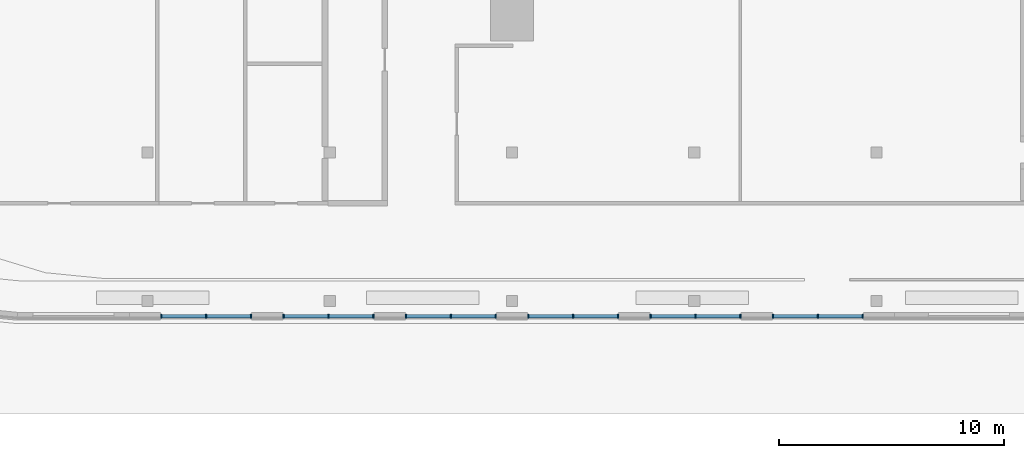
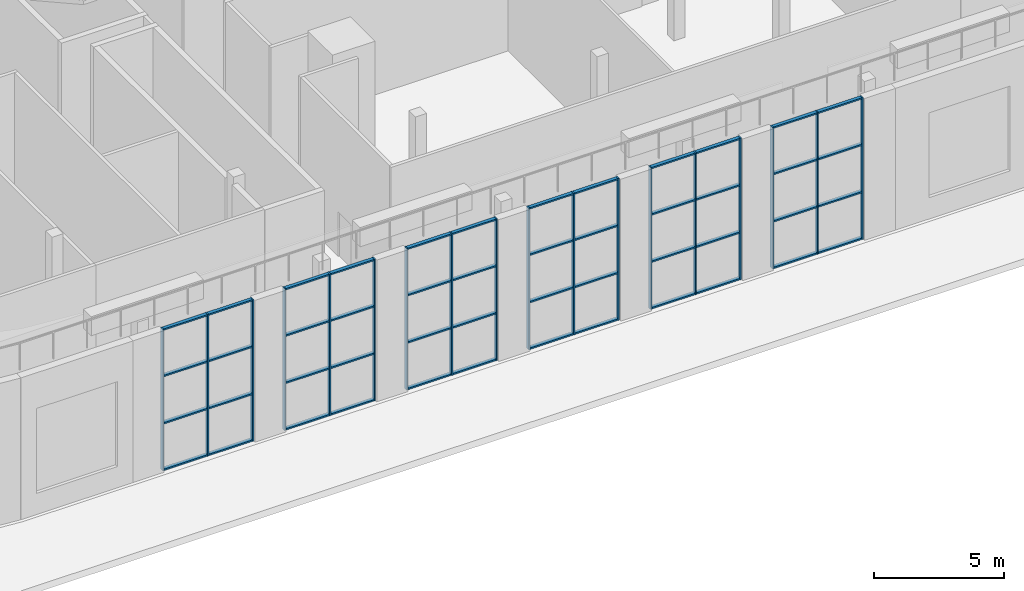
# One storey, part 2 of 21: 66 members, 6 elements without a shape of their own.
"""IFC4 building model written with IfcOpenShell, lengths in metres."""

import ifcopenshell
import ifcopenshell.guid

model = None  # the IFC model being written
_history = None  # IfcOwnerHistory: only IFC2X3 demands one
_inside = {}  # id of a spatial element -> (the spatial element, [elements in it])
_under = {}  # id of a project, library or spatial element -> (it, [spatial elements below it])
_declared = {}  # id of a project -> (the project, [libraries it declares])
_typed = {}  # id of a type object -> (the type object, [elements of that type])
_made_of = {}  # id of a material, layer set ... -> (it, [elements and type objects made of it])


def new_model(schema):
    """Start an empty IFC model of exactly this schema.

    Asked for "IFC4X3", IfcOpenShell would pick the latest addendum, in which some entities
    have other attributes; the version numbers below select the first issue.
    IFC2X3 requires an IfcOwnerHistory on every rooted entity: one is made here for all.
    """
    global model, _history
    if schema == "IFC4X3":
        model = ifcopenshell.file(schema_version=(4, 3, 0, 0))
    else:
        model = ifcopenshell.file(schema=schema)
    _inside.clear()
    _under.clear()
    _declared.clear()
    _typed.clear()
    _made_of.clear()
    _history = None
    if model.schema == "IFC2X3":
        org = make("IfcOrganization", Name="unknown")
        user = make(
            "IfcPersonAndOrganization",
            ThePerson=make("IfcPerson", FamilyName="unknown"),
            TheOrganization=org,
        )
        app = make(
            "IfcApplication",
            ApplicationDeveloper=org,
            Version="unknown",
            ApplicationFullName="unknown",
            ApplicationIdentifier="unknown",
        )
        _history = make(
            "IfcOwnerHistory",
            OwningUser=user,
            OwningApplication=app,
            ChangeAction="ADDED",
            CreationDate=0,
        )
    return model


def make(cls, **values):
    """One entity of the class cls with the attributes given. An attribute that is None is left unset."""
    return model.create_entity(
        cls, **{name: value for name, value in values.items() if value is not None}
    )


def rooted(cls, **values):
    """An entity with a GlobalId (a new one), such as an element, a storey or a relation."""
    return make(cls, GlobalId=ifcopenshell.guid.new(), OwnerHistory=_history, **values)


def si_unit(unit_type, name, prefix=None):
    """IfcSIUnit, for example si_unit("LENGTHUNIT", "METRE", prefix="MILLI")."""
    return make("IfcSIUnit", UnitType=unit_type, Prefix=prefix, Name=name)


def assignment(units):
    """IfcUnitAssignment: the units of a project."""
    return None if units is None else make("IfcUnitAssignment", Units=units)


def point(xyz):
    """IfcCartesianPoint."""
    return None if xyz is None else make("IfcCartesianPoint", Coordinates=xyz)


def direction(xyz):
    """IfcDirection."""
    return None if xyz is None else make("IfcDirection", DirectionRatios=xyz)


def frame(location, z_axis=None, x_axis=None):
    """IfcAxis2Placement3D, a coordinate frame: its origin and axes. An axis left out is left unset."""
    return make(
        "IfcAxis2Placement3D",
        Location=point(location),
        Axis=direction(z_axis),
        RefDirection=direction(x_axis),
    )


def frame_2d(location, x_axis=None):
    """IfcAxis2Placement2D, a coordinate frame in the plane: its origin and x axis."""
    return make(
        "IfcAxis2Placement2D", Location=point(location), RefDirection=direction(x_axis)
    )


def origin():
    """The frame at (0, 0, 0) with its axes left unset."""
    return frame((0.0, 0.0, 0.0))


def origin_2d():
    """The frame at (0, 0) in the plane with its x axis left unset."""
    return frame_2d((0.0, 0.0))


def place(relative_to, where):
    """IfcLocalPlacement: puts the frame where relative to a parent placement (None: the world)."""
    return make(
        "IfcLocalPlacement", PlacementRelTo=relative_to, RelativePlacement=where
    )


def context(
    kind, dimensions, precision=None, world=None, true_north=None, identifier=None
):
    """IfcGeometricRepresentationContext, for example the 3D "Model" context."""
    return make(
        "IfcGeometricRepresentationContext",
        ContextIdentifier=identifier,
        ContextType=kind,
        CoordinateSpaceDimension=dimensions,
        Precision=precision,
        WorldCoordinateSystem=world,
        TrueNorth=true_north,
    )


def subcontext(parent, identifier, kind, view, scale=None):
    """IfcGeometricRepresentationSubContext, for example "Body" below "Model"."""
    return make(
        "IfcGeometricRepresentationSubContext",
        ContextIdentifier=identifier,
        ContextType=kind,
        ParentContext=parent,
        TargetScale=scale,
        TargetView=view,
    )


def project(units=None, contexts=None):
    """IfcProject with its units and contexts."""
    return rooted(
        "IfcProject",
        Name="project",
        RepresentationContexts=contexts,
        UnitsInContext=assignment(units),
    )


def spatial(cls, under=None, at=None, **own):
    """A site, building, storey or space (cls), placed at a placement, below another one or the project."""
    s = rooted(cls, ObjectPlacement=at, **own)
    if under is not None:
        _under.setdefault(under.id(), (under, []))[1].append(s)
    return s


def profile(cls, at=None, kind="AREA", **sizes):
    """A parametric profile (cls). Its sizes go by their IFC names, for example OverallWidth=200.0."""
    return make(cls, ProfileType=kind, Position=at, **sizes)


def rectangle(**sizes):
    """IfcRectangleProfileDef."""
    return profile("IfcRectangleProfileDef", **sizes)


def extrude(swept, where, along, depth):
    """IfcExtrudedAreaSolid: the profile swept, set in the frame where, extruded along a direction by depth."""
    return make(
        "IfcExtrudedAreaSolid",
        SweptArea=swept,
        Position=where,
        ExtrudedDirection=direction(along),
        Depth=depth,
    )


def shape(context_of_items, identifier, shape_type, items):
    """IfcShapeRepresentation: the items that make up one representation, for example the "Body"."""
    return make(
        "IfcShapeRepresentation",
        ContextOfItems=context_of_items,
        RepresentationIdentifier=identifier,
        RepresentationType=shape_type,
        Items=items,
    )


def material(Name=None, Category=None):
    """IfcMaterial."""
    return make("IfcMaterial", Name=Name, Category=Category)


def material_profile(
    of_material, cross_section, Name=None, Category=None, Priority=None
):
    """IfcMaterialProfile: a cross section and its material."""
    return make(
        "IfcMaterialProfile",
        Name=Name,
        Material=of_material,
        Profile=cross_section,
        Priority=Priority,
        Category=Category,
    )


def profile_set(profiles, Name=None, composite=None):
    """IfcMaterialProfileSet."""
    return make(
        "IfcMaterialProfileSet",
        Name=Name,
        MaterialProfiles=profiles,
        CompositeProfile=composite,
    )


def made_of(thing, what):
    """Note that an element or type object is made of a material, layer set ...; save() writes the relation."""
    if what is not None:
        _made_of.setdefault(what.id(), (what, []))[1].append(thing)
    return thing


def type_object(cls, material=None, **own):
    """A type object (cls), such as IfcWallType, which elements share."""
    return made_of(rooted(cls, **own), material)


def element(
    cls,
    number,
    at=None,
    inside=None,
    cuts=None,
    type_object=None,
    material=None,
    context=None,
    identifier="Body",
    shape_type=None,
    held_by="IfcProductDefinitionShape",
    body=None,
    shapes=None,
    **own,
):
    """One element of the class cls, such as IfcWall. Its Tag is "e" and its number.

    at: its placement. inside: the storey or other place that contains it. cuts: it is an
    opening in that element (IfcRelVoidsElement). A single representation is given by context,
    identifier, shape_type and body (its items); several are given by shapes. held_by: the class
    of the entity that holds the representations. save() writes the other relations.
    """
    e = rooted(cls, Tag="e%d" % number, ObjectPlacement=at, **own)
    if body is not None:
        shapes = [shape(context, identifier, shape_type, body)]
    if shapes is not None:
        e.Representation = make(held_by, Representations=shapes)
    if inside is not None:
        _inside.setdefault(inside.id(), (inside, []))[1].append(e)
    if cuts is not None:
        rooted(
            "IfcRelVoidsElement", RelatingBuildingElement=cuts, RelatedOpeningElement=e
        )
    if type_object is not None:
        _typed.setdefault(type_object.id(), (type_object, []))[1].append(e)
    return made_of(e, material)


def aggregate(whole, parts):
    """IfcRelAggregates: a whole, such as a stair, and the parts it consists of."""
    return rooted("IfcRelAggregates", RelatingObject=whole, RelatedObjects=parts)


def save(model, path):
    """Write the relations noted so far, then the file.

    IfcRelAggregates (storeys below a building ...), IfcRelContainedInSpatialStructure (elements
    in a storey), IfcRelDefinesByType, IfcRelAssociatesMaterial and IfcRelDeclares: one each for
    every whole, place, type object, material and project.
    """
    for whole, parts in _under.values():
        aggregate(whole, parts)
    for where, things in _inside.values():
        rooted(
            "IfcRelContainedInSpatialStructure",
            RelatedElements=things,
            RelatingStructure=where,
        )
    for kind, things in _typed.values():
        rooted("IfcRelDefinesByType", RelatedObjects=things, RelatingType=kind)
    for what, things in _made_of.values():
        rooted("IfcRelAssociatesMaterial", RelatedObjects=things, RelatingMaterial=what)
    for by, libraries in _declared.values():
        rooted("IfcRelDeclares", RelatingContext=by, RelatedDefinitions=libraries)
    model.write(path)


model = new_model("IFC4")

# Units and contexts
model_context = context("Model", 3, precision=1e-05, world=origin(), true_north=direction((0.0, 1.0)))
body_context = subcontext(model_context, "Body", "Model", "MODEL_VIEW")
ifc_project = project(units=[si_unit("LENGTHUNIT", "METRE"), si_unit("AREAUNIT", "SQUARE_METRE"), si_unit("VOLUMEUNIT", "CUBIC_METRE"), si_unit("PLANEANGLEUNIT", "RADIAN"), si_unit("MASSUNIT", "GRAM", prefix="KILO")], contexts=[model_context])

# Site, building, storey
site_placement = place(None, origin())
site = spatial("IfcSite", under=ifc_project, at=site_placement, CompositionType="ELEMENT")
building_placement = place(site_placement, origin())
building = spatial("IfcBuilding", under=site, at=building_placement, Name="Torre Triforio", CompositionType="ELEMENT")
storey_placement = place(building_placement, frame((0.0, 0.0, 6.0)))
storey = spatial("IfcBuildingStorey", under=building, at=storey_placement, Name="L01", CompositionType="ELEMENT", Elevation=6.0)

# Curtain wall, members
ifc_material_1 = material(Name="Aluminium mullion and transom frame with clear laminated glass", Category="aluminium")
curtain_wall_type = type_object("IfcCurtainWallType", Name="Studio foyer curtain wall ECW2", PredefinedType="NOTDEFINED", material=ifc_material_1)
curtain_wall_1_placement = place(storey_placement, origin())
curtain_wall_1 = element("IfcCurtainWall", 1, at=curtain_wall_1_placement, inside=storey, type_object=curtain_wall_type, Name="Studio foyer curtain wall L01 36.1.2.1", PredefinedType="NOTDEFINED")
ifc_material_2 = material(Name="Anodised aluminium extrusion", Category="aluminium")
ifc_material_profile_1 = material_profile(ifc_material_2, rectangle(XDim=0.179931640625, YDim=0.06005859375, at=origin_2d()), Name="ECW2 MULLION 60x180")
ifc_profile_set_1 = profile_set([ifc_material_profile_1], Name="Anodised aluminium extrusion")
member_type_1 = type_object("IfcMemberType", Name="ECW2 mullion 60 x 180", PredefinedType="MULLION", material=ifc_profile_set_1)
member_1_placement = place(storey_placement, frame((-15.584228515625, -39.675048828125, 0.0), z_axis=(0.0, 0.0, 1.0), x_axis=(0.0, 1.0, 0.0)))
member_1 = element("IfcMember", 2, at=member_1_placement, type_object=member_type_1, Name="ECW2 mullion 1", PredefinedType="MULLION", context=body_context, shape_type="SweptSolid", body=[
    extrude(rectangle(XDim=0.179931640625, YDim=0.06005859375, at=origin_2d()), origin(), (0.0, 0.0, 1.0), 6.679931640625),
])
member_2_placement = place(storey_placement, frame((-13.58935546875, -39.675048828125, 0.0), z_axis=(0.0, 0.0, 1.0), x_axis=(0.0, 1.0, 0.0)))
member_2 = element("IfcMember", 3, at=member_2_placement, type_object=member_type_1, Name="ECW2 mullion 2", PredefinedType="MULLION", context=body_context, shape_type="SweptSolid", body=[
    extrude(rectangle(XDim=0.179931640625, YDim=0.06005859375, at=origin_2d()), origin(), (0.0, 0.0, 1.0), 6.679931640625),
])
member_3_placement = place(storey_placement, frame((-11.59423828125, -39.675048828125, 0.0), z_axis=(0.0, 0.0, 1.0), x_axis=(0.0, 1.0, 0.0)))
member_3 = element("IfcMember", 4, at=member_3_placement, type_object=member_type_1, Name="ECW2 mullion 3", PredefinedType="MULLION", context=body_context, shape_type="SweptSolid", body=[
    extrude(rectangle(XDim=0.179931640625, YDim=0.06005859375, at=origin_2d()), origin(), (0.0, 0.0, 1.0), 6.679931640625),
])

curtain_wall_2_placement = place(storey_placement, origin())
curtain_wall_2 = element("IfcCurtainWall", 5, at=curtain_wall_2_placement, inside=storey, type_object=curtain_wall_type, Name="Studio foyer curtain wall L01 36.1.2.2", PredefinedType="NOTDEFINED")
member_4_placement = place(storey_placement, frame((-10.148681640625, -39.675048828125, 0.0), z_axis=(0.0, 0.0, 1.0), x_axis=(0.0, 1.0, 0.0)))
member_4 = element("IfcMember", 6, at=member_4_placement, type_object=member_type_1, Name="ECW2 mullion 1", PredefinedType="MULLION", context=body_context, shape_type="SweptSolid", body=[
    extrude(rectangle(XDim=0.179931640625, YDim=0.06005859375, at=origin_2d()), origin(), (0.0, 0.0, 1.0), 6.679931640625),
])
member_5_placement = place(storey_placement, frame((-8.153564453125, -39.675048828125, 0.0), z_axis=(0.0, 0.0, 1.0), x_axis=(0.0, 1.0, 0.0)))
member_5 = element("IfcMember", 7, at=member_5_placement, type_object=member_type_1, Name="ECW2 mullion 2", PredefinedType="MULLION", context=body_context, shape_type="SweptSolid", body=[
    extrude(rectangle(XDim=0.179931640625, YDim=0.06005859375, at=origin_2d()), origin(), (0.0, 0.0, 1.0), 6.679931640625),
])
member_6_placement = place(storey_placement, frame((-6.15869140625, -39.675048828125, 0.0), z_axis=(0.0, 0.0, 1.0), x_axis=(0.0, 1.0, 0.0)))
member_6 = element("IfcMember", 8, at=member_6_placement, type_object=member_type_1, Name="ECW2 mullion 3", PredefinedType="MULLION", context=body_context, shape_type="SweptSolid", body=[
    extrude(rectangle(XDim=0.179931640625, YDim=0.06005859375, at=origin_2d()), origin(), (0.0, 0.0, 1.0), 6.679931640625),
])

curtain_wall_3_placement = place(storey_placement, origin())
curtain_wall_3 = element("IfcCurtainWall", 9, at=curtain_wall_3_placement, inside=storey, type_object=curtain_wall_type, Name="Studio foyer curtain wall L01 36.1.2.3", PredefinedType="NOTDEFINED")
member_7_placement = place(storey_placement, frame((-4.712890625, -39.675048828125, 0.0), z_axis=(0.0, 0.0, 1.0), x_axis=(0.0, 1.0, 0.0)))
member_7 = element("IfcMember", 10, at=member_7_placement, type_object=member_type_1, Name="ECW2 mullion 1", PredefinedType="MULLION", context=body_context, shape_type="SweptSolid", body=[
    extrude(rectangle(XDim=0.179931640625, YDim=0.06005859375, at=origin_2d()), origin(), (0.0, 0.0, 1.0), 6.679931640625),
])
member_8_placement = place(storey_placement, frame((-2.718017578125, -39.675048828125, 0.0), z_axis=(0.0, 0.0, 1.0), x_axis=(0.0, 1.0, 0.0)))
member_8 = element("IfcMember", 11, at=member_8_placement, type_object=member_type_1, Name="ECW2 mullion 2", PredefinedType="MULLION", context=body_context, shape_type="SweptSolid", body=[
    extrude(rectangle(XDim=0.179931640625, YDim=0.06005859375, at=origin_2d()), origin(), (0.0, 0.0, 1.0), 6.679931640625),
])
member_9_placement = place(storey_placement, frame((-0.722900390625, -39.675048828125, 0.0), z_axis=(0.0, 0.0, 1.0), x_axis=(0.0, 1.0, 0.0)))
member_9 = element("IfcMember", 12, at=member_9_placement, type_object=member_type_1, Name="ECW2 mullion 3", PredefinedType="MULLION", context=body_context, shape_type="SweptSolid", body=[
    extrude(rectangle(XDim=0.179931640625, YDim=0.06005859375, at=origin_2d()), origin(), (0.0, 0.0, 1.0), 6.679931640625),
])

curtain_wall_4_placement = place(storey_placement, origin())
curtain_wall_4 = element("IfcCurtainWall", 13, at=curtain_wall_4_placement, inside=storey, type_object=curtain_wall_type, Name="Studio foyer curtain wall L01 36.1.2.4", PredefinedType="NOTDEFINED")
member_10_placement = place(storey_placement, frame((0.722900390625, -39.675048828125, 0.0), z_axis=(0.0, 0.0, 1.0), x_axis=(0.0, 1.0, 0.0)))
member_10 = element("IfcMember", 14, at=member_10_placement, type_object=member_type_1, Name="ECW2 mullion 1", PredefinedType="MULLION", context=body_context, shape_type="SweptSolid", body=[
    extrude(rectangle(XDim=0.179931640625, YDim=0.06005859375, at=origin_2d()), origin(), (0.0, 0.0, 1.0), 6.679931640625),
])
member_11_placement = place(storey_placement, frame((2.718017578125, -39.675048828125, 0.0), z_axis=(0.0, 0.0, 1.0), x_axis=(0.0, 1.0, 0.0)))
member_11 = element("IfcMember", 15, at=member_11_placement, type_object=member_type_1, Name="ECW2 mullion 2", PredefinedType="MULLION", context=body_context, shape_type="SweptSolid", body=[
    extrude(rectangle(XDim=0.179931640625, YDim=0.06005859375, at=origin_2d()), origin(), (0.0, 0.0, 1.0), 6.679931640625),
])
member_12_placement = place(storey_placement, frame((4.712890625, -39.675048828125, 0.0), z_axis=(0.0, 0.0, 1.0), x_axis=(0.0, 1.0, 0.0)))
member_12 = element("IfcMember", 16, at=member_12_placement, type_object=member_type_1, Name="ECW2 mullion 3", PredefinedType="MULLION", context=body_context, shape_type="SweptSolid", body=[
    extrude(rectangle(XDim=0.179931640625, YDim=0.06005859375, at=origin_2d()), origin(), (0.0, 0.0, 1.0), 6.679931640625),
])

curtain_wall_5_placement = place(storey_placement, origin())
curtain_wall_5 = element("IfcCurtainWall", 17, at=curtain_wall_5_placement, inside=storey, type_object=curtain_wall_type, Name="Studio foyer curtain wall L01 36.1.2.5", PredefinedType="NOTDEFINED")
member_13_placement = place(storey_placement, frame((6.15869140625, -39.675048828125, 0.0), z_axis=(0.0, 0.0, 1.0), x_axis=(0.0, 1.0, 0.0)))
member_13 = element("IfcMember", 18, at=member_13_placement, type_object=member_type_1, Name="ECW2 mullion 1", PredefinedType="MULLION", context=body_context, shape_type="SweptSolid", body=[
    extrude(rectangle(XDim=0.179931640625, YDim=0.06005859375, at=origin_2d()), origin(), (0.0, 0.0, 1.0), 6.679931640625),
])
member_14_placement = place(storey_placement, frame((8.153564453125, -39.675048828125, 0.0), z_axis=(0.0, 0.0, 1.0), x_axis=(0.0, 1.0, 0.0)))
member_14 = element("IfcMember", 19, at=member_14_placement, type_object=member_type_1, Name="ECW2 mullion 2", PredefinedType="MULLION", context=body_context, shape_type="SweptSolid", body=[
    extrude(rectangle(XDim=0.179931640625, YDim=0.06005859375, at=origin_2d()), origin(), (0.0, 0.0, 1.0), 6.679931640625),
])
member_15_placement = place(storey_placement, frame((10.148681640625, -39.675048828125, 0.0), z_axis=(0.0, 0.0, 1.0), x_axis=(0.0, 1.0, 0.0)))
member_15 = element("IfcMember", 20, at=member_15_placement, type_object=member_type_1, Name="ECW2 mullion 3", PredefinedType="MULLION", context=body_context, shape_type="SweptSolid", body=[
    extrude(rectangle(XDim=0.179931640625, YDim=0.06005859375, at=origin_2d()), origin(), (0.0, 0.0, 1.0), 6.679931640625),
])

curtain_wall_6_placement = place(storey_placement, origin())
curtain_wall_6 = element("IfcCurtainWall", 21, at=curtain_wall_6_placement, inside=storey, type_object=curtain_wall_type, Name="Studio foyer curtain wall L01 36.1.2.6", PredefinedType="NOTDEFINED")
member_16_placement = place(storey_placement, frame((11.59423828125, -39.675048828125, 0.0), z_axis=(0.0, 0.0, 1.0), x_axis=(0.0, 1.0, 0.0)))
member_16 = element("IfcMember", 22, at=member_16_placement, type_object=member_type_1, Name="ECW2 mullion 1", PredefinedType="MULLION", context=body_context, shape_type="SweptSolid", body=[
    extrude(rectangle(XDim=0.179931640625, YDim=0.06005859375, at=origin_2d()), origin(), (0.0, 0.0, 1.0), 6.679931640625),
])
member_17_placement = place(storey_placement, frame((13.58935546875, -39.675048828125, 0.0), z_axis=(0.0, 0.0, 1.0), x_axis=(0.0, 1.0, 0.0)))
member_17 = element("IfcMember", 23, at=member_17_placement, type_object=member_type_1, Name="ECW2 mullion 2", PredefinedType="MULLION", context=body_context, shape_type="SweptSolid", body=[
    extrude(rectangle(XDim=0.179931640625, YDim=0.06005859375, at=origin_2d()), origin(), (0.0, 0.0, 1.0), 6.679931640625),
])
member_18_placement = place(storey_placement, frame((15.584228515625, -39.675048828125, 0.0), z_axis=(0.0, 0.0, 1.0), x_axis=(0.0, 1.0, 0.0)))
member_18 = element("IfcMember", 24, at=member_18_placement, type_object=member_type_1, Name="ECW2 mullion 3", PredefinedType="MULLION", context=body_context, shape_type="SweptSolid", body=[
    extrude(rectangle(XDim=0.179931640625, YDim=0.06005859375, at=origin_2d()), origin(), (0.0, 0.0, 1.0), 6.679931640625),
])

# Member
ifc_material_profile_2 = material_profile(ifc_material_2, rectangle(XDim=0.159912109375, YDim=0.070068359375, at=origin_2d()), Name="ECW2 TRANSOM 70x160")
ifc_profile_set_2 = profile_set([ifc_material_profile_2], Name="Anodised aluminium extrusion")
member_type_2 = type_object("IfcMemberType", Name="ECW2 transom 70 x 160", PredefinedType="USERDEFINED", material=ifc_profile_set_2)
member_19_placement = place(storey_placement, frame((-15.55419921875, -39.675048828125, 0.034912109375), z_axis=(1.0, 0.0, 0.0), x_axis=(0.0, 1.0, 0.0)))
member_19 = element("IfcMember", 25, at=member_19_placement, type_object=member_type_2, Name="ECW2 transom 1.1", ObjectType="TRANSOM", PredefinedType="USERDEFINED", context=body_context, shape_type="SweptSolid", body=[
    extrude(rectangle(XDim=0.159912109375, YDim=0.070068359375, at=origin_2d()), origin(), (0.0, 0.0, 1.0), 1.934814453125),
])

member_20_placement = place(storey_placement, frame((-15.55419921875, -39.675048828125, 2.226806640625), z_axis=(1.0, 0.0, 0.0), x_axis=(0.0, 1.0, 0.0)))
member_20 = element("IfcMember", 26, at=member_20_placement, type_object=member_type_2, Name="ECW2 transom 1.2", ObjectType="TRANSOM", PredefinedType="USERDEFINED", context=body_context, shape_type="SweptSolid", body=[
    extrude(rectangle(XDim=0.159912109375, YDim=0.070068359375, at=origin_2d()), origin(), (0.0, 0.0, 1.0), 1.934814453125),
])

member_21_placement = place(storey_placement, frame((-15.55419921875, -39.675048828125, 4.453369140625), z_axis=(1.0, 0.0, 0.0), x_axis=(0.0, 1.0, 0.0)))
member_21 = element("IfcMember", 27, at=member_21_placement, type_object=member_type_2, Name="ECW2 transom 1.3", ObjectType="TRANSOM", PredefinedType="USERDEFINED", context=body_context, shape_type="SweptSolid", body=[
    extrude(rectangle(XDim=0.159912109375, YDim=0.070068359375, at=origin_2d()), origin(), (0.0, 0.0, 1.0), 1.934814453125),
])

member_22_placement = place(storey_placement, frame((-15.55419921875, -39.675048828125, 6.64501953125), z_axis=(1.0, 0.0, 0.0), x_axis=(0.0, 1.0, 0.0)))
member_22 = element("IfcMember", 28, at=member_22_placement, type_object=member_type_2, Name="ECW2 transom 1.4", ObjectType="TRANSOM", PredefinedType="USERDEFINED", context=body_context, shape_type="SweptSolid", body=[
    extrude(rectangle(XDim=0.159912109375, YDim=0.070068359375, at=origin_2d()), origin(), (0.0, 0.0, 1.0), 1.934814453125),
])

member_23_placement = place(storey_placement, frame((-13.559326171875, -39.675048828125, 0.034912109375), z_axis=(1.0, 0.0, 0.0), x_axis=(0.0, 1.0, 0.0)))
member_23 = element("IfcMember", 29, at=member_23_placement, type_object=member_type_2, Name="ECW2 transom 2.1", ObjectType="TRANSOM", PredefinedType="USERDEFINED", context=body_context, shape_type="SweptSolid", body=[
    extrude(rectangle(XDim=0.159912109375, YDim=0.070068359375, at=origin_2d()), origin(), (0.0, 0.0, 1.0), 1.93505859375),
])

member_24_placement = place(storey_placement, frame((-13.559326171875, -39.675048828125, 2.226806640625), z_axis=(1.0, 0.0, 0.0), x_axis=(0.0, 1.0, 0.0)))
member_24 = element("IfcMember", 30, at=member_24_placement, type_object=member_type_2, Name="ECW2 transom 2.2", ObjectType="TRANSOM", PredefinedType="USERDEFINED", context=body_context, shape_type="SweptSolid", body=[
    extrude(rectangle(XDim=0.159912109375, YDim=0.070068359375, at=origin_2d()), origin(), (0.0, 0.0, 1.0), 1.93505859375),
])

member_25_placement = place(storey_placement, frame((-13.559326171875, -39.675048828125, 4.453369140625), z_axis=(1.0, 0.0, 0.0), x_axis=(0.0, 1.0, 0.0)))
member_25 = element("IfcMember", 31, at=member_25_placement, type_object=member_type_2, Name="ECW2 transom 2.3", ObjectType="TRANSOM", PredefinedType="USERDEFINED", context=body_context, shape_type="SweptSolid", body=[
    extrude(rectangle(XDim=0.159912109375, YDim=0.070068359375, at=origin_2d()), origin(), (0.0, 0.0, 1.0), 1.93505859375),
])

member_26_placement = place(storey_placement, frame((-13.559326171875, -39.675048828125, 6.64501953125), z_axis=(1.0, 0.0, 0.0), x_axis=(0.0, 1.0, 0.0)))
member_26 = element("IfcMember", 32, at=member_26_placement, type_object=member_type_2, Name="ECW2 transom 2.4", ObjectType="TRANSOM", PredefinedType="USERDEFINED", context=body_context, shape_type="SweptSolid", body=[
    extrude(rectangle(XDim=0.159912109375, YDim=0.070068359375, at=origin_2d()), origin(), (0.0, 0.0, 1.0), 1.93505859375),
])

aggregate(curtain_wall_1, [member_1, member_2, member_3, member_19, member_20, member_21, member_22, member_23, member_24, member_25, member_26])

member_27_placement = place(storey_placement, frame((-10.11865234375, -39.675048828125, 0.034912109375), z_axis=(1.0, 0.0, 0.0), x_axis=(0.0, 1.0, 0.0)))
member_27 = element("IfcMember", 33, at=member_27_placement, type_object=member_type_2, Name="ECW2 transom 1.1", ObjectType="TRANSOM", PredefinedType="USERDEFINED", context=body_context, shape_type="SweptSolid", body=[
    extrude(rectangle(XDim=0.159912109375, YDim=0.070068359375, at=origin_2d()), origin(), (0.0, 0.0, 1.0), 1.93505859375),
])

member_28_placement = place(storey_placement, frame((-10.11865234375, -39.675048828125, 2.226806640625), z_axis=(1.0, 0.0, 0.0), x_axis=(0.0, 1.0, 0.0)))
member_28 = element("IfcMember", 34, at=member_28_placement, type_object=member_type_2, Name="ECW2 transom 1.2", ObjectType="TRANSOM", PredefinedType="USERDEFINED", context=body_context, shape_type="SweptSolid", body=[
    extrude(rectangle(XDim=0.159912109375, YDim=0.070068359375, at=origin_2d()), origin(), (0.0, 0.0, 1.0), 1.93505859375),
])

member_29_placement = place(storey_placement, frame((-10.11865234375, -39.675048828125, 4.453369140625), z_axis=(1.0, 0.0, 0.0), x_axis=(0.0, 1.0, 0.0)))
member_29 = element("IfcMember", 35, at=member_29_placement, type_object=member_type_2, Name="ECW2 transom 1.3", ObjectType="TRANSOM", PredefinedType="USERDEFINED", context=body_context, shape_type="SweptSolid", body=[
    extrude(rectangle(XDim=0.159912109375, YDim=0.070068359375, at=origin_2d()), origin(), (0.0, 0.0, 1.0), 1.93505859375),
])

member_30_placement = place(storey_placement, frame((-10.11865234375, -39.675048828125, 6.64501953125), z_axis=(1.0, 0.0, 0.0), x_axis=(0.0, 1.0, 0.0)))
member_30 = element("IfcMember", 36, at=member_30_placement, type_object=member_type_2, Name="ECW2 transom 1.4", ObjectType="TRANSOM", PredefinedType="USERDEFINED", context=body_context, shape_type="SweptSolid", body=[
    extrude(rectangle(XDim=0.159912109375, YDim=0.070068359375, at=origin_2d()), origin(), (0.0, 0.0, 1.0), 1.93505859375),
])

member_31_placement = place(storey_placement, frame((-8.12353515625, -39.675048828125, 0.034912109375), z_axis=(1.0, 0.0, 0.0), x_axis=(0.0, 1.0, 0.0)))
member_31 = element("IfcMember", 37, at=member_31_placement, type_object=member_type_2, Name="ECW2 transom 2.1", ObjectType="TRANSOM", PredefinedType="USERDEFINED", context=body_context, shape_type="SweptSolid", body=[
    extrude(rectangle(XDim=0.159912109375, YDim=0.070068359375, at=origin_2d()), origin(), (0.0, 0.0, 1.0), 1.934814453125),
])

member_32_placement = place(storey_placement, frame((-8.12353515625, -39.675048828125, 2.226806640625), z_axis=(1.0, 0.0, 0.0), x_axis=(0.0, 1.0, 0.0)))
member_32 = element("IfcMember", 38, at=member_32_placement, type_object=member_type_2, Name="ECW2 transom 2.2", ObjectType="TRANSOM", PredefinedType="USERDEFINED", context=body_context, shape_type="SweptSolid", body=[
    extrude(rectangle(XDim=0.159912109375, YDim=0.070068359375, at=origin_2d()), origin(), (0.0, 0.0, 1.0), 1.934814453125),
])

member_33_placement = place(storey_placement, frame((-8.12353515625, -39.675048828125, 4.453369140625), z_axis=(1.0, 0.0, 0.0), x_axis=(0.0, 1.0, 0.0)))
member_33 = element("IfcMember", 39, at=member_33_placement, type_object=member_type_2, Name="ECW2 transom 2.3", ObjectType="TRANSOM", PredefinedType="USERDEFINED", context=body_context, shape_type="SweptSolid", body=[
    extrude(rectangle(XDim=0.159912109375, YDim=0.070068359375, at=origin_2d()), origin(), (0.0, 0.0, 1.0), 1.934814453125),
])

member_34_placement = place(storey_placement, frame((-8.12353515625, -39.675048828125, 6.64501953125), z_axis=(1.0, 0.0, 0.0), x_axis=(0.0, 1.0, 0.0)))
member_34 = element("IfcMember", 40, at=member_34_placement, type_object=member_type_2, Name="ECW2 transom 2.4", ObjectType="TRANSOM", PredefinedType="USERDEFINED", context=body_context, shape_type="SweptSolid", body=[
    extrude(rectangle(XDim=0.159912109375, YDim=0.070068359375, at=origin_2d()), origin(), (0.0, 0.0, 1.0), 1.934814453125),
])

aggregate(curtain_wall_2, [member_4, member_5, member_6, member_27, member_28, member_29, member_30, member_31, member_32, member_33, member_34])

member_35_placement = place(storey_placement, frame((-4.682861328125, -39.675048828125, 0.034912109375), z_axis=(1.0, 0.0, 0.0), x_axis=(0.0, 1.0, 0.0)))
member_35 = element("IfcMember", 41, at=member_35_placement, type_object=member_type_2, Name="ECW2 transom 1.1", ObjectType="TRANSOM", PredefinedType="USERDEFINED", context=body_context, shape_type="SweptSolid", body=[
    extrude(rectangle(XDim=0.159912109375, YDim=0.070068359375, at=origin_2d()), origin(), (0.0, 0.0, 1.0), 1.93505859375),
])

member_36_placement = place(storey_placement, frame((-4.682861328125, -39.675048828125, 2.226806640625), z_axis=(1.0, 0.0, 0.0), x_axis=(0.0, 1.0, 0.0)))
member_36 = element("IfcMember", 42, at=member_36_placement, type_object=member_type_2, Name="ECW2 transom 1.2", ObjectType="TRANSOM", PredefinedType="USERDEFINED", context=body_context, shape_type="SweptSolid", body=[
    extrude(rectangle(XDim=0.159912109375, YDim=0.070068359375, at=origin_2d()), origin(), (0.0, 0.0, 1.0), 1.93505859375),
])

member_37_placement = place(storey_placement, frame((-4.682861328125, -39.675048828125, 4.453369140625), z_axis=(1.0, 0.0, 0.0), x_axis=(0.0, 1.0, 0.0)))
member_37 = element("IfcMember", 43, at=member_37_placement, type_object=member_type_2, Name="ECW2 transom 1.3", ObjectType="TRANSOM", PredefinedType="USERDEFINED", context=body_context, shape_type="SweptSolid", body=[
    extrude(rectangle(XDim=0.159912109375, YDim=0.070068359375, at=origin_2d()), origin(), (0.0, 0.0, 1.0), 1.93505859375),
])

member_38_placement = place(storey_placement, frame((-4.682861328125, -39.675048828125, 6.64501953125), z_axis=(1.0, 0.0, 0.0), x_axis=(0.0, 1.0, 0.0)))
member_38 = element("IfcMember", 44, at=member_38_placement, type_object=member_type_2, Name="ECW2 transom 1.4", ObjectType="TRANSOM", PredefinedType="USERDEFINED", context=body_context, shape_type="SweptSolid", body=[
    extrude(rectangle(XDim=0.159912109375, YDim=0.070068359375, at=origin_2d()), origin(), (0.0, 0.0, 1.0), 1.93505859375),
])

member_39_placement = place(storey_placement, frame((-2.68798828125, -39.675048828125, 0.034912109375), z_axis=(1.0, 0.0, 0.0), x_axis=(0.0, 1.0, 0.0)))
member_39 = element("IfcMember", 45, at=member_39_placement, type_object=member_type_2, Name="ECW2 transom 2.1", ObjectType="TRANSOM", PredefinedType="USERDEFINED", context=body_context, shape_type="SweptSolid", body=[
    extrude(rectangle(XDim=0.159912109375, YDim=0.070068359375, at=origin_2d()), origin(), (0.0, 0.0, 1.0), 1.93505859375),
])

member_40_placement = place(storey_placement, frame((-2.68798828125, -39.675048828125, 2.226806640625), z_axis=(1.0, 0.0, 0.0), x_axis=(0.0, 1.0, 0.0)))
member_40 = element("IfcMember", 46, at=member_40_placement, type_object=member_type_2, Name="ECW2 transom 2.2", ObjectType="TRANSOM", PredefinedType="USERDEFINED", context=body_context, shape_type="SweptSolid", body=[
    extrude(rectangle(XDim=0.159912109375, YDim=0.070068359375, at=origin_2d()), origin(), (0.0, 0.0, 1.0), 1.93505859375),
])

member_41_placement = place(storey_placement, frame((-2.68798828125, -39.675048828125, 4.453369140625), z_axis=(1.0, 0.0, 0.0), x_axis=(0.0, 1.0, 0.0)))
member_41 = element("IfcMember", 47, at=member_41_placement, type_object=member_type_2, Name="ECW2 transom 2.3", ObjectType="TRANSOM", PredefinedType="USERDEFINED", context=body_context, shape_type="SweptSolid", body=[
    extrude(rectangle(XDim=0.159912109375, YDim=0.070068359375, at=origin_2d()), origin(), (0.0, 0.0, 1.0), 1.93505859375),
])

member_42_placement = place(storey_placement, frame((-2.68798828125, -39.675048828125, 6.64501953125), z_axis=(1.0, 0.0, 0.0), x_axis=(0.0, 1.0, 0.0)))
member_42 = element("IfcMember", 48, at=member_42_placement, type_object=member_type_2, Name="ECW2 transom 2.4", ObjectType="TRANSOM", PredefinedType="USERDEFINED", context=body_context, shape_type="SweptSolid", body=[
    extrude(rectangle(XDim=0.159912109375, YDim=0.070068359375, at=origin_2d()), origin(), (0.0, 0.0, 1.0), 1.93505859375),
])

aggregate(curtain_wall_3, [member_7, member_8, member_9, member_35, member_36, member_37, member_38, member_39, member_40, member_41, member_42])

member_43_placement = place(storey_placement, frame((0.7529296875, -39.675048828125, 0.034912109375), z_axis=(1.0, 0.0, 0.0), x_axis=(0.0, 1.0, 0.0)))
member_43 = element("IfcMember", 49, at=member_43_placement, type_object=member_type_2, Name="ECW2 transom 1.1", ObjectType="TRANSOM", PredefinedType="USERDEFINED", context=body_context, shape_type="SweptSolid", body=[
    extrude(rectangle(XDim=0.159912109375, YDim=0.070068359375, at=origin_2d()), origin(), (0.0, 0.0, 1.0), 1.93505859375),
])

member_44_placement = place(storey_placement, frame((0.7529296875, -39.675048828125, 2.226806640625), z_axis=(1.0, 0.0, 0.0), x_axis=(0.0, 1.0, 0.0)))
member_44 = element("IfcMember", 50, at=member_44_placement, type_object=member_type_2, Name="ECW2 transom 1.2", ObjectType="TRANSOM", PredefinedType="USERDEFINED", context=body_context, shape_type="SweptSolid", body=[
    extrude(rectangle(XDim=0.159912109375, YDim=0.070068359375, at=origin_2d()), origin(), (0.0, 0.0, 1.0), 1.93505859375),
])

member_45_placement = place(storey_placement, frame((0.7529296875, -39.675048828125, 4.453369140625), z_axis=(1.0, 0.0, 0.0), x_axis=(0.0, 1.0, 0.0)))
member_45 = element("IfcMember", 51, at=member_45_placement, type_object=member_type_2, Name="ECW2 transom 1.3", ObjectType="TRANSOM", PredefinedType="USERDEFINED", context=body_context, shape_type="SweptSolid", body=[
    extrude(rectangle(XDim=0.159912109375, YDim=0.070068359375, at=origin_2d()), origin(), (0.0, 0.0, 1.0), 1.93505859375),
])

member_46_placement = place(storey_placement, frame((0.7529296875, -39.675048828125, 6.64501953125), z_axis=(1.0, 0.0, 0.0), x_axis=(0.0, 1.0, 0.0)))
member_46 = element("IfcMember", 52, at=member_46_placement, type_object=member_type_2, Name="ECW2 transom 1.4", ObjectType="TRANSOM", PredefinedType="USERDEFINED", context=body_context, shape_type="SweptSolid", body=[
    extrude(rectangle(XDim=0.159912109375, YDim=0.070068359375, at=origin_2d()), origin(), (0.0, 0.0, 1.0), 1.93505859375),
])

member_47_placement = place(storey_placement, frame((2.747802734375, -39.675048828125, 0.034912109375), z_axis=(1.0, 0.0, 0.0), x_axis=(0.0, 1.0, 0.0)))
member_47 = element("IfcMember", 53, at=member_47_placement, type_object=member_type_2, Name="ECW2 transom 2.1", ObjectType="TRANSOM", PredefinedType="USERDEFINED", context=body_context, shape_type="SweptSolid", body=[
    extrude(rectangle(XDim=0.159912109375, YDim=0.070068359375, at=origin_2d()), origin(), (0.0, 0.0, 1.0), 1.93505859375),
])

member_48_placement = place(storey_placement, frame((2.747802734375, -39.675048828125, 2.226806640625), z_axis=(1.0, 0.0, 0.0), x_axis=(0.0, 1.0, 0.0)))
member_48 = element("IfcMember", 54, at=member_48_placement, type_object=member_type_2, Name="ECW2 transom 2.2", ObjectType="TRANSOM", PredefinedType="USERDEFINED", context=body_context, shape_type="SweptSolid", body=[
    extrude(rectangle(XDim=0.159912109375, YDim=0.070068359375, at=origin_2d()), origin(), (0.0, 0.0, 1.0), 1.93505859375),
])

member_49_placement = place(storey_placement, frame((2.747802734375, -39.675048828125, 4.453369140625), z_axis=(1.0, 0.0, 0.0), x_axis=(0.0, 1.0, 0.0)))
member_49 = element("IfcMember", 55, at=member_49_placement, type_object=member_type_2, Name="ECW2 transom 2.3", ObjectType="TRANSOM", PredefinedType="USERDEFINED", context=body_context, shape_type="SweptSolid", body=[
    extrude(rectangle(XDim=0.159912109375, YDim=0.070068359375, at=origin_2d()), origin(), (0.0, 0.0, 1.0), 1.93505859375),
])

member_50_placement = place(storey_placement, frame((2.747802734375, -39.675048828125, 6.64501953125), z_axis=(1.0, 0.0, 0.0), x_axis=(0.0, 1.0, 0.0)))
member_50 = element("IfcMember", 56, at=member_50_placement, type_object=member_type_2, Name="ECW2 transom 2.4", ObjectType="TRANSOM", PredefinedType="USERDEFINED", context=body_context, shape_type="SweptSolid", body=[
    extrude(rectangle(XDim=0.159912109375, YDim=0.070068359375, at=origin_2d()), origin(), (0.0, 0.0, 1.0), 1.93505859375),
])

aggregate(curtain_wall_4, [member_10, member_11, member_12, member_43, member_44, member_45, member_46, member_47, member_48, member_49, member_50])

member_51_placement = place(storey_placement, frame((6.188720703125, -39.675048828125, 0.034912109375), z_axis=(1.0, 0.0, 0.0), x_axis=(0.0, 1.0, 0.0)))
member_51 = element("IfcMember", 57, at=member_51_placement, type_object=member_type_2, Name="ECW2 transom 1.1", ObjectType="TRANSOM", PredefinedType="USERDEFINED", context=body_context, shape_type="SweptSolid", body=[
    extrude(rectangle(XDim=0.159912109375, YDim=0.070068359375, at=origin_2d()), origin(), (0.0, 0.0, 1.0), 1.934814453125),
])

member_52_placement = place(storey_placement, frame((6.188720703125, -39.675048828125, 2.226806640625), z_axis=(1.0, 0.0, 0.0), x_axis=(0.0, 1.0, 0.0)))
member_52 = element("IfcMember", 58, at=member_52_placement, type_object=member_type_2, Name="ECW2 transom 1.2", ObjectType="TRANSOM", PredefinedType="USERDEFINED", context=body_context, shape_type="SweptSolid", body=[
    extrude(rectangle(XDim=0.159912109375, YDim=0.070068359375, at=origin_2d()), origin(), (0.0, 0.0, 1.0), 1.934814453125),
])

member_53_placement = place(storey_placement, frame((6.188720703125, -39.675048828125, 4.453369140625), z_axis=(1.0, 0.0, 0.0), x_axis=(0.0, 1.0, 0.0)))
member_53 = element("IfcMember", 59, at=member_53_placement, type_object=member_type_2, Name="ECW2 transom 1.3", ObjectType="TRANSOM", PredefinedType="USERDEFINED", context=body_context, shape_type="SweptSolid", body=[
    extrude(rectangle(XDim=0.159912109375, YDim=0.070068359375, at=origin_2d()), origin(), (0.0, 0.0, 1.0), 1.934814453125),
])

member_54_placement = place(storey_placement, frame((6.188720703125, -39.675048828125, 6.64501953125), z_axis=(1.0, 0.0, 0.0), x_axis=(0.0, 1.0, 0.0)))
member_54 = element("IfcMember", 60, at=member_54_placement, type_object=member_type_2, Name="ECW2 transom 1.4", ObjectType="TRANSOM", PredefinedType="USERDEFINED", context=body_context, shape_type="SweptSolid", body=[
    extrude(rectangle(XDim=0.159912109375, YDim=0.070068359375, at=origin_2d()), origin(), (0.0, 0.0, 1.0), 1.934814453125),
])

member_55_placement = place(storey_placement, frame((8.18359375, -39.675048828125, 0.034912109375), z_axis=(1.0, 0.0, 0.0), x_axis=(0.0, 1.0, 0.0)))
member_55 = element("IfcMember", 61, at=member_55_placement, type_object=member_type_2, Name="ECW2 transom 2.1", ObjectType="TRANSOM", PredefinedType="USERDEFINED", context=body_context, shape_type="SweptSolid", body=[
    extrude(rectangle(XDim=0.159912109375, YDim=0.070068359375, at=origin_2d()), origin(), (0.0, 0.0, 1.0), 1.93505859375),
])

member_56_placement = place(storey_placement, frame((8.18359375, -39.675048828125, 2.226806640625), z_axis=(1.0, 0.0, 0.0), x_axis=(0.0, 1.0, 0.0)))
member_56 = element("IfcMember", 62, at=member_56_placement, type_object=member_type_2, Name="ECW2 transom 2.2", ObjectType="TRANSOM", PredefinedType="USERDEFINED", context=body_context, shape_type="SweptSolid", body=[
    extrude(rectangle(XDim=0.159912109375, YDim=0.070068359375, at=origin_2d()), origin(), (0.0, 0.0, 1.0), 1.93505859375),
])

member_57_placement = place(storey_placement, frame((8.18359375, -39.675048828125, 4.453369140625), z_axis=(1.0, 0.0, 0.0), x_axis=(0.0, 1.0, 0.0)))
member_57 = element("IfcMember", 63, at=member_57_placement, type_object=member_type_2, Name="ECW2 transom 2.3", ObjectType="TRANSOM", PredefinedType="USERDEFINED", context=body_context, shape_type="SweptSolid", body=[
    extrude(rectangle(XDim=0.159912109375, YDim=0.070068359375, at=origin_2d()), origin(), (0.0, 0.0, 1.0), 1.93505859375),
])

member_58_placement = place(storey_placement, frame((8.18359375, -39.675048828125, 6.64501953125), z_axis=(1.0, 0.0, 0.0), x_axis=(0.0, 1.0, 0.0)))
member_58 = element("IfcMember", 64, at=member_58_placement, type_object=member_type_2, Name="ECW2 transom 2.4", ObjectType="TRANSOM", PredefinedType="USERDEFINED", context=body_context, shape_type="SweptSolid", body=[
    extrude(rectangle(XDim=0.159912109375, YDim=0.070068359375, at=origin_2d()), origin(), (0.0, 0.0, 1.0), 1.93505859375),
])

aggregate(curtain_wall_5, [member_13, member_14, member_15, member_51, member_52, member_53, member_54, member_55, member_56, member_57, member_58])

member_59_placement = place(storey_placement, frame((11.624267578125, -39.675048828125, 0.034912109375), z_axis=(1.0, 0.0, 0.0), x_axis=(0.0, 1.0, 0.0)))
member_59 = element("IfcMember", 65, at=member_59_placement, type_object=member_type_2, Name="ECW2 transom 1.1", ObjectType="TRANSOM", PredefinedType="USERDEFINED", context=body_context, shape_type="SweptSolid", body=[
    extrude(rectangle(XDim=0.159912109375, YDim=0.070068359375, at=origin_2d()), origin(), (0.0, 0.0, 1.0), 1.93505859375),
])

member_60_placement = place(storey_placement, frame((11.624267578125, -39.675048828125, 2.226806640625), z_axis=(1.0, 0.0, 0.0), x_axis=(0.0, 1.0, 0.0)))
member_60 = element("IfcMember", 66, at=member_60_placement, type_object=member_type_2, Name="ECW2 transom 1.2", ObjectType="TRANSOM", PredefinedType="USERDEFINED", context=body_context, shape_type="SweptSolid", body=[
    extrude(rectangle(XDim=0.159912109375, YDim=0.070068359375, at=origin_2d()), origin(), (0.0, 0.0, 1.0), 1.93505859375),
])

member_61_placement = place(storey_placement, frame((11.624267578125, -39.675048828125, 4.453369140625), z_axis=(1.0, 0.0, 0.0), x_axis=(0.0, 1.0, 0.0)))
member_61 = element("IfcMember", 67, at=member_61_placement, type_object=member_type_2, Name="ECW2 transom 1.3", ObjectType="TRANSOM", PredefinedType="USERDEFINED", context=body_context, shape_type="SweptSolid", body=[
    extrude(rectangle(XDim=0.159912109375, YDim=0.070068359375, at=origin_2d()), origin(), (0.0, 0.0, 1.0), 1.93505859375),
])

member_62_placement = place(storey_placement, frame((11.624267578125, -39.675048828125, 6.64501953125), z_axis=(1.0, 0.0, 0.0), x_axis=(0.0, 1.0, 0.0)))
member_62 = element("IfcMember", 68, at=member_62_placement, type_object=member_type_2, Name="ECW2 transom 1.4", ObjectType="TRANSOM", PredefinedType="USERDEFINED", context=body_context, shape_type="SweptSolid", body=[
    extrude(rectangle(XDim=0.159912109375, YDim=0.070068359375, at=origin_2d()), origin(), (0.0, 0.0, 1.0), 1.93505859375),
])

member_63_placement = place(storey_placement, frame((13.619384765625, -39.675048828125, 0.034912109375), z_axis=(1.0, 0.0, 0.0), x_axis=(0.0, 1.0, 0.0)))
member_63 = element("IfcMember", 69, at=member_63_placement, type_object=member_type_2, Name="ECW2 transom 2.1", ObjectType="TRANSOM", PredefinedType="USERDEFINED", context=body_context, shape_type="SweptSolid", body=[
    extrude(rectangle(XDim=0.159912109375, YDim=0.070068359375, at=origin_2d()), origin(), (0.0, 0.0, 1.0), 1.934814453125),
])

member_64_placement = place(storey_placement, frame((13.619384765625, -39.675048828125, 2.226806640625), z_axis=(1.0, 0.0, 0.0), x_axis=(0.0, 1.0, 0.0)))
member_64 = element("IfcMember", 70, at=member_64_placement, type_object=member_type_2, Name="ECW2 transom 2.2", ObjectType="TRANSOM", PredefinedType="USERDEFINED", context=body_context, shape_type="SweptSolid", body=[
    extrude(rectangle(XDim=0.159912109375, YDim=0.070068359375, at=origin_2d()), origin(), (0.0, 0.0, 1.0), 1.934814453125),
])

member_65_placement = place(storey_placement, frame((13.619384765625, -39.675048828125, 4.453369140625), z_axis=(1.0, 0.0, 0.0), x_axis=(0.0, 1.0, 0.0)))
member_65 = element("IfcMember", 71, at=member_65_placement, type_object=member_type_2, Name="ECW2 transom 2.3", ObjectType="TRANSOM", PredefinedType="USERDEFINED", context=body_context, shape_type="SweptSolid", body=[
    extrude(rectangle(XDim=0.159912109375, YDim=0.070068359375, at=origin_2d()), origin(), (0.0, 0.0, 1.0), 1.934814453125),
])

member_66_placement = place(storey_placement, frame((13.619384765625, -39.675048828125, 6.64501953125), z_axis=(1.0, 0.0, 0.0), x_axis=(0.0, 1.0, 0.0)))
member_66 = element("IfcMember", 72, at=member_66_placement, type_object=member_type_2, Name="ECW2 transom 2.4", ObjectType="TRANSOM", PredefinedType="USERDEFINED", context=body_context, shape_type="SweptSolid", body=[
    extrude(rectangle(XDim=0.159912109375, YDim=0.070068359375, at=origin_2d()), origin(), (0.0, 0.0, 1.0), 1.934814453125),
])

aggregate(curtain_wall_6, [member_16, member_17, member_18, member_59, member_60, member_61, member_62, member_63, member_64, member_65, member_66])

save(model, "model.ifc")
